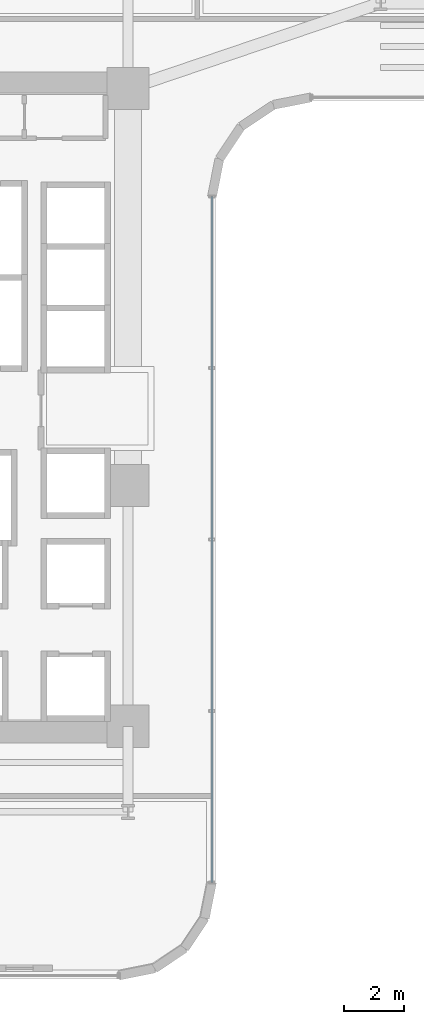
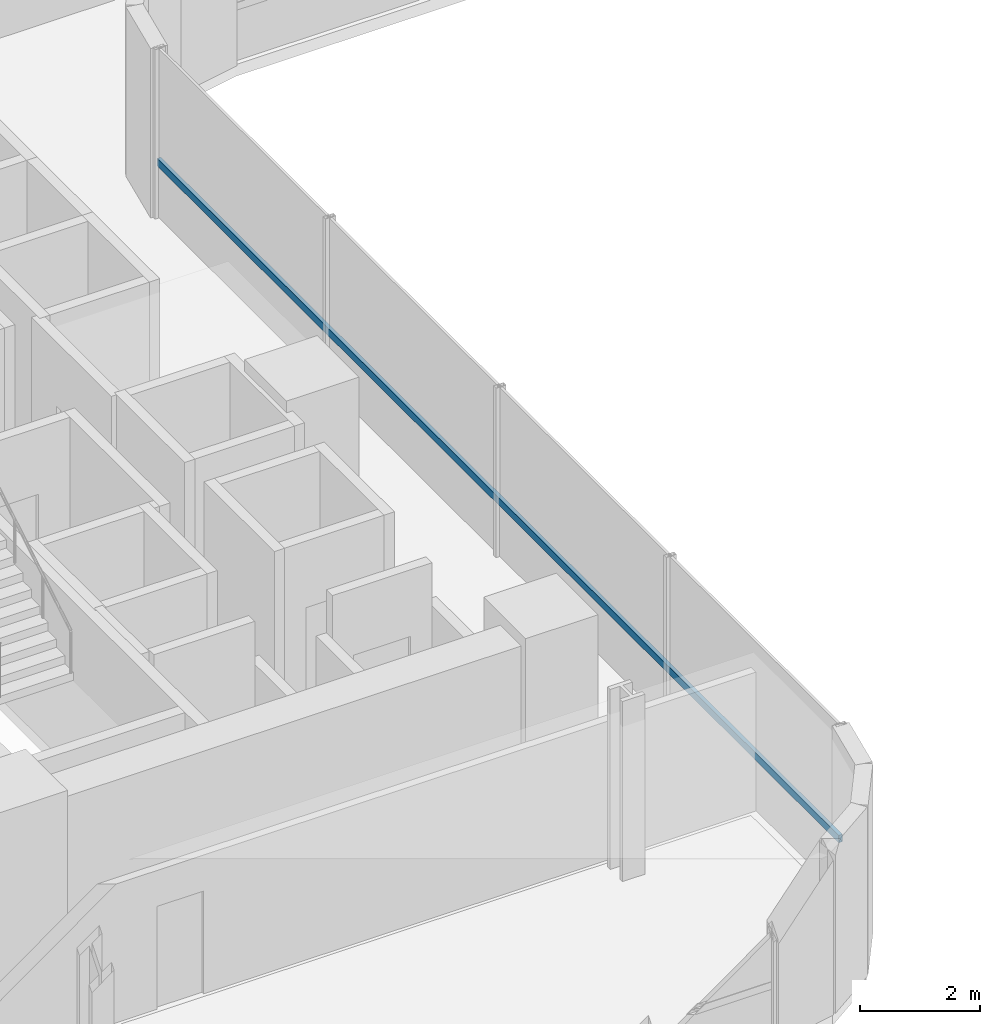
# One storey, part 7 of 39: 1 member, 1 element without a shape of its own.
"""IFC4 building model written with IfcOpenShell, lengths in metres."""

from ifc_helpers import new_model, si_unit, direction, frame, origin, origin_2d, place, context, subcontext, project, spatial, hollow_rectangle, extrude, source, transform, mapped, material, material_profile, profile_set, type_object, element, aggregate, save


model = new_model("IFC4")

# Units and contexts
model_context = context("Model", 3, precision=1e-05, world=origin(), true_north=direction((0.0, 1.0)))
body_context = subcontext(model_context, "Body", "Model", "MODEL_VIEW")
ifc_project = project(units=[si_unit("LENGTHUNIT", "METRE"), si_unit("AREAUNIT", "SQUARE_METRE"), si_unit("VOLUMEUNIT", "CUBIC_METRE"), si_unit("PLANEANGLEUNIT", "RADIAN"), si_unit("MASSUNIT", "GRAM", prefix="KILO")], contexts=[model_context])

# Site, building, storey
site_placement = place(None, origin())
site = spatial("IfcSite", under=ifc_project, at=site_placement, CompositionType="ELEMENT")
building_placement = place(site_placement, origin())
building = spatial("IfcBuilding", under=site, at=building_placement, Name="Valdorenza Pilgrim Sanctuary Tower", CompositionType="ELEMENT")
storey_placement = place(building_placement, frame((0.0, 0.0, 74.10009765625)))
storey = spatial("IfcBuildingStorey", under=building, at=storey_placement, Name="L18", CompositionType="ELEMENT", Elevation=74.10009765625)

# Curtain wall, member
ifc_material_1 = material(Name="Curtain-wall IGU glazing", Category="glass")
curtain_wall_type = type_object("IfcCurtainWallType", Name="CW-SYS-02", PredefinedType="NOTDEFINED", material=ifc_material_1)
curtain_wall_placement = place(storey_placement, origin())
curtain_wall = element("IfcCurtainWall", 1, at=curtain_wall_placement, inside=storey, type_object=curtain_wall_type, Name="L18 Curtain Wall CW-L18-1-41", PredefinedType="NOTDEFINED")
ifc_material_2 = material(Name="Anodised aluminium AW-6060", Category="aluminium")
ifc_material_profile = material_profile(ifc_material_2, hollow_rectangle(XDim=0.074951171875, YDim=0.14990234375, WallThickness=0.00390625, at=origin_2d()), Name="ALU-T 150x75x4")
ifc_profile_set = profile_set([ifc_material_profile], Name="Anodised aluminium AW-6060")
member_type = type_object("IfcMemberType", Name="CW-TRN-02", PredefinedType="USERDEFINED", material=ifc_profile_set)
shared_shape = source(origin(), body_context, "Body", "SweptSolid", [
    extrude(hollow_rectangle(XDim=0.074951171875, YDim=0.14990234375, WallThickness=0.00390625, at=origin_2d()), origin(), (0.0, 0.0, 1.0), 22.800048828125),
])
member_placement = place(storey_placement, frame((-9.610107421875, 7.0107421875, 1.119873046875), z_axis=(0.0, -1.0, 0.0), x_axis=(1.0, 0.0, 0.0)))
member = element("IfcMember", 2, at=member_placement, type_object=member_type, Name="CW-L18-1-41 Transom 1", ObjectType="TRANSOM", PredefinedType="USERDEFINED", context=body_context, shape_type="MappedRepresentation", body=[
    mapped(shared_shape, transform((0.0, 0.0, 0.0), x_axis=(1.0, 0.0, 0.0), y_axis=(0.0, 1.0, 0.0), z_axis=(0.0, 0.0, 1.0), scale=1.0)),
])
aggregate(curtain_wall, [member])

save(model, "model.ifc")
